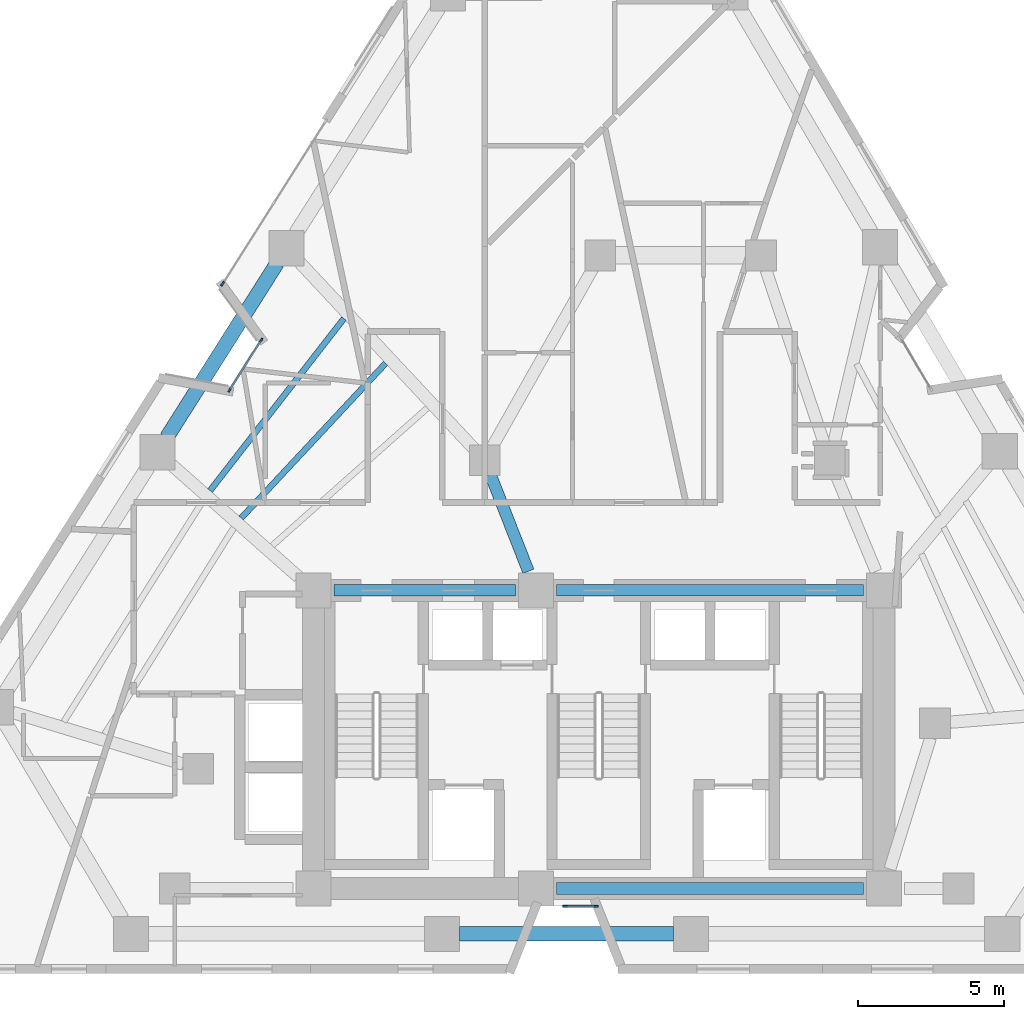
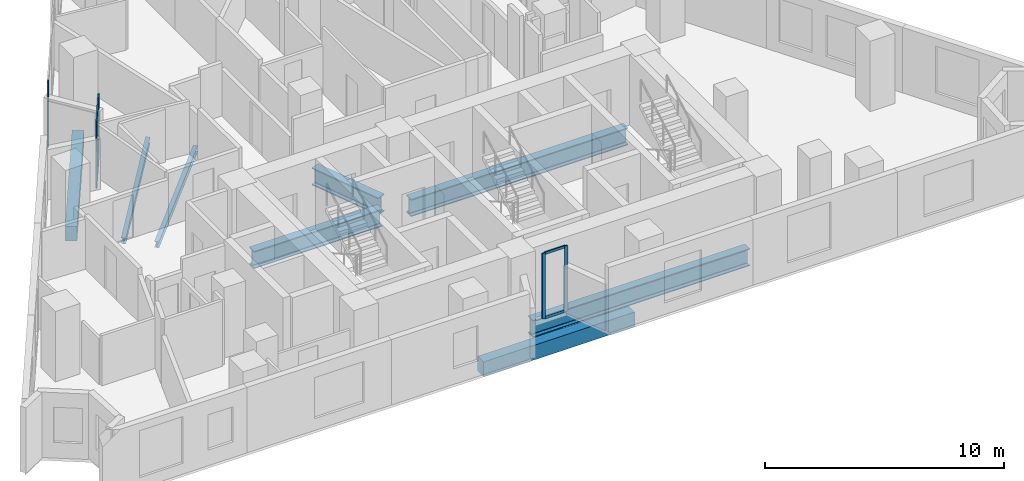
# One storey, part 2 of 12: 9 members, 8 beams, 3 elements without a shape of their own.
"""IFC4 building model written with IfcOpenShell, lengths in metres."""

from ifc_helpers import new_model, si_unit, direction, frame, origin, origin_2d, place, context, subcontext, project, spatial, rectangle, i_section, extrude, material, layer, layer_set, material_profile, profile_set, type_object, element, aggregate, save


model = new_model("IFC4")

# Units and contexts
model_context = context("Model", 3, precision=1e-05, world=origin(), true_north=direction((0.0, 1.0)))
body_context = subcontext(model_context, "Body", "Model", "MODEL_VIEW")
ifc_project = project(units=[si_unit("LENGTHUNIT", "METRE"), si_unit("AREAUNIT", "SQUARE_METRE"), si_unit("VOLUMEUNIT", "CUBIC_METRE"), si_unit("PLANEANGLEUNIT", "RADIAN"), si_unit("MASSUNIT", "GRAM", prefix="KILO")], contexts=[model_context])

# Site, building, storey
site_placement = place(None, origin())
site = spatial("IfcSite", under=ifc_project, at=site_placement, CompositionType="ELEMENT")
building_placement = place(site_placement, origin())
building = spatial("IfcBuilding", under=site, at=building_placement, Name="Almagre Mirador Tower", CompositionType="ELEMENT")
storey_placement = place(building_placement, frame((0.0, 0.0, 110.39990234375)))
storey = spatial("IfcBuildingStorey", under=building, at=storey_placement, Name="L27", CompositionType="ELEMENT", Elevation=110.39990234375)

# Beams
ifc_material_1 = material(Name="Steel ASTM A992 Grade 50", Category="steel")
ifc_material_profile_1 = material_profile(ifc_material_1, i_section(OverallWidth=0.205078125, OverallDepth=0.31005859375, WebThickness=0.009521484375, FlangeThickness=0.016357421875, FilletRadius=0.013916015625, at=origin_2d()), Name="W12X50")
ifc_profile_set_1 = profile_set([ifc_material_profile_1], Name="Steel ASTM A992 Grade 50")
beam_type_1 = type_object("IfcBeamType", Name="BM-JST-W12X50", PredefinedType="JOIST", material=ifc_profile_set_1)
beam_1_placement = place(storey_placement, frame((28.584716796875, 24.0419921875, -0.40478515625), z_axis=(-0.613954220677, -0.78934163384, 0.0), x_axis=(0.78934163384, -0.613954220677, 0.0)))
element("IfcBeam", 1, at=beam_1_placement, inside=storey, type_object=beam_type_1, Name="L27 secondary floor joist PC10-PC11.1", PredefinedType="JOIST", context=body_context, shape_type="SweptSolid", body=[
    extrude(i_section(OverallWidth=0.205078125, OverallDepth=0.31005859375, WebThickness=0.009521484375, FlangeThickness=0.016357421875, FilletRadius=0.013916015625, at=origin_2d()), origin(), (0.0, 0.0, 1.0), 7.452880859375),
])
beam_2_placement = place(storey_placement, frame((30.012451171875, 22.512451171875, -0.40478515625), z_axis=(-0.6823915411, -0.730986856678, 0.0), x_axis=(0.730986856678, -0.6823915411, 0.0)))
element("IfcBeam", 2, at=beam_2_placement, inside=storey, type_object=beam_type_1, Name="L27 secondary floor joist PC10-PC11.2", PredefinedType="JOIST", context=body_context, shape_type="SweptSolid", body=[
    extrude(i_section(OverallWidth=0.205078125, OverallDepth=0.31005859375, WebThickness=0.009521484375, FlangeThickness=0.016357421875, FilletRadius=0.013916015625, at=origin_2d()), origin(), (0.0, 0.0, 1.0), 7.239501953125),
])
ifc_material_2 = material(Name="Precast concrete C50/60", Category="concrete")
ifc_material_profile_2 = material_profile(ifc_material_2, rectangle(XDim=0.5, YDim=0.75, at=origin_2d()), Name="RC500X750")
ifc_profile_set_2 = profile_set([ifc_material_profile_2], Name="Precast concrete C50/60")
beam_type_2 = type_object("IfcBeamType", Name="BM-SPN-RC500X750", PredefinedType="SPANDREL", material=ifc_profile_set_2)
beam_3_placement = place(storey_placement, frame((32.5439453125, 3.0, -0.625), z_axis=(1.0, 0.0, 0.0), x_axis=(0.0, 1.0, 0.0)))
element("IfcBeam", 3, at=beam_3_placement, inside=storey, type_object=beam_type_2, Name="L27 perimeter spandrel beam PC02-PC03", PredefinedType="SPANDREL", context=body_context, shape_type="SweptSolid", body=[
    extrude(rectangle(XDim=0.5, YDim=0.75, at=origin_2d()), origin(), (0.0, 0.0, 1.0), 7.31201171875),
])
beam_4_placement = place(storey_placement, frame((26.301025390625, 25.93896484375, -0.625), z_axis=(-0.534879207885, -0.844928537198, 0.0), x_axis=(0.844928537198, -0.534879207885, 0.0)))
element("IfcBeam", 4, at=beam_4_placement, inside=storey, type_object=beam_type_2, Name="L27 perimeter spandrel beam PC10-PC11", PredefinedType="SPANDREL", context=body_context, shape_type="SweptSolid", body=[
    extrude(rectangle(XDim=0.5, YDim=0.75, at=origin_2d()), origin(), (0.0, 0.0, 1.0), 7.05615234375),
])
ifc_material_3 = material(Name="Steel ASTM A992 Grade 50", Category="steel")
ifc_material_profile_3 = material_profile(ifc_material_3, i_section(OverallWidth=0.404052734375, OverallDepth=0.884033203125, WebThickness=0.0244140625, FlangeThickness=0.0439453125, FilletRadius=0.02490234375, at=origin_2d()), Name="W33X291")
ifc_profile_set_3 = profile_set([ifc_material_profile_3], Name="Steel ASTM A992 Grade 50")
beam_type_3 = type_object("IfcBeamType", Name="BM-STL-W33X291", PredefinedType="BEAM", material=ifc_profile_set_3)
beam_5_placement = place(storey_placement, frame((35.85009765625, 4.550048828125, -0.69189453125), z_axis=(1.0, 0.0, 0.0), x_axis=(0.0, 1.0, 0.0)))
element("IfcBeam", 5, at=beam_5_placement, inside=storey, type_object=beam_type_3, Name="L27 core tie girder CC2-CC3", PredefinedType="BEAM", context=body_context, shape_type="SweptSolid", body=[
    extrude(i_section(OverallWidth=0.404052734375, OverallDepth=0.884033203125, WebThickness=0.0244140625, FlangeThickness=0.0439453125, FilletRadius=0.02490234375, at=origin_2d()), origin(), (0.0, 0.0, 1.0), 10.5),
])
beam_6_placement = place(storey_placement, frame((28.25, 14.75, -0.69189453125), z_axis=(1.0, 0.0, 0.0), x_axis=(0.0, 1.0, 0.0)))
element("IfcBeam", 6, at=beam_6_placement, inside=storey, type_object=beam_type_3, Name="L27 core tie girder CC4-CC5", PredefinedType="BEAM", context=body_context, shape_type="SweptSolid", body=[
    extrude(i_section(OverallWidth=0.404052734375, OverallDepth=0.884033203125, WebThickness=0.0244140625, FlangeThickness=0.0439453125, FilletRadius=0.02490234375, at=origin_2d()), origin(), (0.0, 0.0, 1.0), 6.199951171875),
])
beam_7_placement = place(storey_placement, frame((35.85009765625, 14.75, -0.69189453125), z_axis=(1.0, 0.0, 0.0), x_axis=(0.0, 1.0, 0.0)))
element("IfcBeam", 7, at=beam_7_placement, inside=storey, type_object=beam_type_3, Name="L27 core tie girder CC5-CC6", PredefinedType="BEAM", context=body_context, shape_type="SweptSolid", body=[
    extrude(i_section(OverallWidth=0.404052734375, OverallDepth=0.884033203125, WebThickness=0.0244140625, FlangeThickness=0.0439453125, FilletRadius=0.02490234375, at=origin_2d()), origin(), (0.0, 0.0, 1.0), 10.5),
])
beam_8_placement = place(storey_placement, frame((33.592041015625, 18.71142578125, -0.69189453125), z_axis=(0.365987887744, -0.930619614034, 0.0), x_axis=(0.930619614034, 0.365987887744, 0.0)))
element("IfcBeam", 8, at=beam_8_placement, inside=storey, type_object=beam_type_3, Name="L27 core tie girder MC8-CC5", PredefinedType="BEAM", context=body_context, shape_type="SweptSolid", body=[
    extrude(i_section(OverallWidth=0.404052734375, OverallDepth=0.884033203125, WebThickness=0.0244140625, FlangeThickness=0.0439453125, FilletRadius=0.02490234375, at=origin_2d()), origin(), (0.0, 0.0, 1.0), 3.556884765625),
])

# Curtain wall, members
ifc_material_4 = material(Name="Black anodized aluminium", Category="aluminium")
ifc_layer_1 = layer(ifc_material_4, 0.169921875)
ifc_layer_set_1 = layer_set([ifc_layer_1], Name="Black anodized aluminium")
curtain_wall_type_1 = type_object("IfcCurtainWallType", Name="CW-CRS-SYS", PredefinedType="NOTDEFINED", material=ifc_layer_set_1)
curtain_wall_1_placement = place(storey_placement, origin())
curtain_wall_1 = element("IfcCurtainWall", 9, at=curtain_wall_1_placement, inside=storey, type_object=curtain_wall_type_1, Name="L27 vertical crease curtain wall 01", PredefinedType="NOTDEFINED")
ifc_material_5 = material(Name="Black anodized aluminium", Category="aluminium")
ifc_material_profile_4 = material_profile(ifc_material_5, rectangle(XDim=0.06005859375, YDim=0.14990234375, at=origin_2d()), Name="CWM60X150")
ifc_profile_set_4 = profile_set([ifc_material_profile_4], Name="Black anodized aluminium")
member_type_1 = type_object("IfcMemberType", Name="MBR-CWM60X150", PredefinedType="MULLION", material=ifc_profile_set_4)
member_1_placement = place(storey_placement, frame((24.674072265625, 21.59228515625, 0.0), z_axis=(0.0, 0.0, 1.0), x_axis=(-0.844919983827, 0.534892719084, 0.0)))
member_1 = element("IfcMember", 10, at=member_1_placement, type_object=member_type_1, Name="CW-4 mullion 1", PredefinedType="MULLION", context=body_context, shape_type="SweptSolid", body=[
    extrude(rectangle(XDim=0.06005859375, YDim=0.14990234375, at=origin_2d()), origin(), (0.0, 0.0, 1.0), 3.35009765625),
])
member_2_placement = place(storey_placement, frame((25.760009765625, 23.3076171875, 0.0), z_axis=(0.0, 0.0, 1.0), x_axis=(-0.844919983827, 0.534892719084, 0.0)))
member_2 = element("IfcMember", 11, at=member_2_placement, type_object=member_type_1, Name="CW-4 mullion 2", PredefinedType="MULLION", context=body_context, shape_type="SweptSolid", body=[
    extrude(rectangle(XDim=0.06005859375, YDim=0.14990234375, at=origin_2d()), origin(), (0.0, 0.0, 1.0), 3.35009765625),
])

curtain_wall_2_placement = place(storey_placement, origin())
curtain_wall_2 = element("IfcCurtainWall", 12, at=curtain_wall_2_placement, inside=storey, type_object=curtain_wall_type_1, Name="L27 vertical crease curtain wall 04", PredefinedType="NOTDEFINED")
member_3_placement = place(storey_placement, frame((37.215087890625, 3.949951171875, 0.0), z_axis=(0.0, 0.0, 1.0), x_axis=(0.0, -1.0, 0.0)))
member_3 = element("IfcMember", 13, at=member_3_placement, type_object=member_type_1, Name="CW-4 mullion 1", PredefinedType="MULLION", context=body_context, shape_type="SweptSolid", body=[
    extrude(rectangle(XDim=0.06005859375, YDim=0.14990234375, at=origin_2d()), origin(), (0.0, 0.0, 1.0), 3.35009765625),
])
member_4_placement = place(storey_placement, frame((36.139892578125, 3.949951171875, 0.0), z_axis=(0.0, 0.0, 1.0), x_axis=(0.0, -1.0, 0.0)))
member_4 = element("IfcMember", 14, at=member_4_placement, type_object=member_type_1, Name="CW-4 mullion 2", PredefinedType="MULLION", context=body_context, shape_type="SweptSolid", body=[
    extrude(rectangle(XDim=0.06005859375, YDim=0.14990234375, at=origin_2d()), origin(), (0.0, 0.0, 1.0), 3.35009765625),
])

# Curtain wall, member
ifc_material_6 = material(Name="Black anodized aluminium", Category="aluminium")
ifc_layer_2 = layer(ifc_material_6, 0.199951171875)
ifc_layer_set_2 = layer_set([ifc_layer_2], Name="Black anodized aluminium")
curtain_wall_type_2 = type_object("IfcCurtainWallType", Name="CW-RES-H-SYS", PredefinedType="NOTDEFINED", material=ifc_layer_set_2)
curtain_wall_3_placement = place(storey_placement, origin())
curtain_wall_3 = element("IfcCurtainWall", 15, at=curtain_wall_3_placement, inside=storey, type_object=curtain_wall_type_2, Name="L27 curtain wall run 02", PredefinedType="NOTDEFINED")
ifc_material_7 = material(Name="Black anodized aluminium", Category="aluminium")
ifc_material_profile_5 = material_profile(ifc_material_7, rectangle(XDim=0.06494140625, YDim=0.179931640625, at=origin_2d()), Name="CWM65X180")
ifc_profile_set_5 = profile_set([ifc_material_profile_5], Name="Black anodized aluminium")
member_type_2 = type_object("IfcMemberType", Name="MBR-CWM65X180", PredefinedType="MULLION", material=ifc_profile_set_5)
member_5_placement = place(storey_placement, frame((24.433349609375, 25.232421875, 0.0), z_axis=(0.0, 0.0, 1.0), x_axis=(-0.844923540641, 0.534887100678, 0.0)))
member_5 = element("IfcMember", 16, at=member_5_placement, type_object=member_type_2, Name="CW-3 mullion 1", PredefinedType="MULLION", context=body_context, shape_type="SweptSolid", body=[
    extrude(rectangle(XDim=0.06494140625, YDim=0.179931640625, at=origin_2d()), origin(), (0.0, 0.0, 1.0), 3.35009765625),
])
aggregate(curtain_wall_3, [member_5])

# Member
ifc_material_8 = material(Name="Black anodized aluminium", Category="aluminium")
ifc_material_profile_6 = material_profile(ifc_material_8, rectangle(XDim=0.06005859375, YDim=0.1298828125, at=origin_2d()), Name="CWT60X130")
ifc_profile_set_6 = profile_set([ifc_material_profile_6], Name="Black anodized aluminium")
member_type_3 = type_object("IfcMemberType", Name="MBR-CWT60X130", PredefinedType="USERDEFINED", material=ifc_profile_set_6)
member_6_placement = place(storey_placement, frame((24.690185546875, 21.61767578125, 0.030029296875), z_axis=(0.534869273761, 0.844934825881, 0.0), x_axis=(-0.844934825881, 0.534869273761, 0.0)))
member_6 = element("IfcMember", 17, at=member_6_placement, type_object=member_type_3, Name="CW-4 transom 1.1", ObjectType="TRANSOM", PredefinedType="USERDEFINED", context=body_context, shape_type="SweptSolid", body=[
    extrude(rectangle(XDim=0.06005859375, YDim=0.1298828125, at=origin_2d()), origin(), (0.0, 0.0, 1.0), 1.969970703125),
])

member_7_placement = place(storey_placement, frame((24.690185546875, 21.61767578125, 3.320068359375), z_axis=(0.534869273761, 0.844934825881, 0.0), x_axis=(-0.844934825881, 0.534869273761, 0.0)))
member_7 = element("IfcMember", 18, at=member_7_placement, type_object=member_type_3, Name="CW-4 transom 1.2", ObjectType="TRANSOM", PredefinedType="USERDEFINED", context=body_context, shape_type="SweptSolid", body=[
    extrude(rectangle(XDim=0.06005859375, YDim=0.1298828125, at=origin_2d()), origin(), (0.0, 0.0, 1.0), 1.969970703125),
])

aggregate(curtain_wall_1, [member_1, member_2, member_6, member_7])

member_8_placement = place(storey_placement, frame((37.18505859375, 3.949951171875, 0.030029296875), z_axis=(-1.0, 0.0, 0.0), x_axis=(0.0, -1.0, 0.0)))
member_8 = element("IfcMember", 19, at=member_8_placement, type_object=member_type_3, Name="CW-4 transom 1.1", ObjectType="TRANSOM", PredefinedType="USERDEFINED", context=body_context, shape_type="SweptSolid", body=[
    extrude(rectangle(XDim=0.06005859375, YDim=0.1298828125, at=origin_2d()), origin(), (0.0, 0.0, 1.0), 1.01513671875),
])

member_9_placement = place(storey_placement, frame((37.18505859375, 3.949951171875, 3.320068359375), z_axis=(-1.0, 0.0, 0.0), x_axis=(0.0, -1.0, 0.0)))
member_9 = element("IfcMember", 20, at=member_9_placement, type_object=member_type_3, Name="CW-4 transom 1.2", ObjectType="TRANSOM", PredefinedType="USERDEFINED", context=body_context, shape_type="SweptSolid", body=[
    extrude(rectangle(XDim=0.06005859375, YDim=0.1298828125, at=origin_2d()), origin(), (0.0, 0.0, 1.0), 1.01513671875),
])

aggregate(curtain_wall_2, [member_3, member_4, member_8, member_9])

save(model, "model.ifc")
